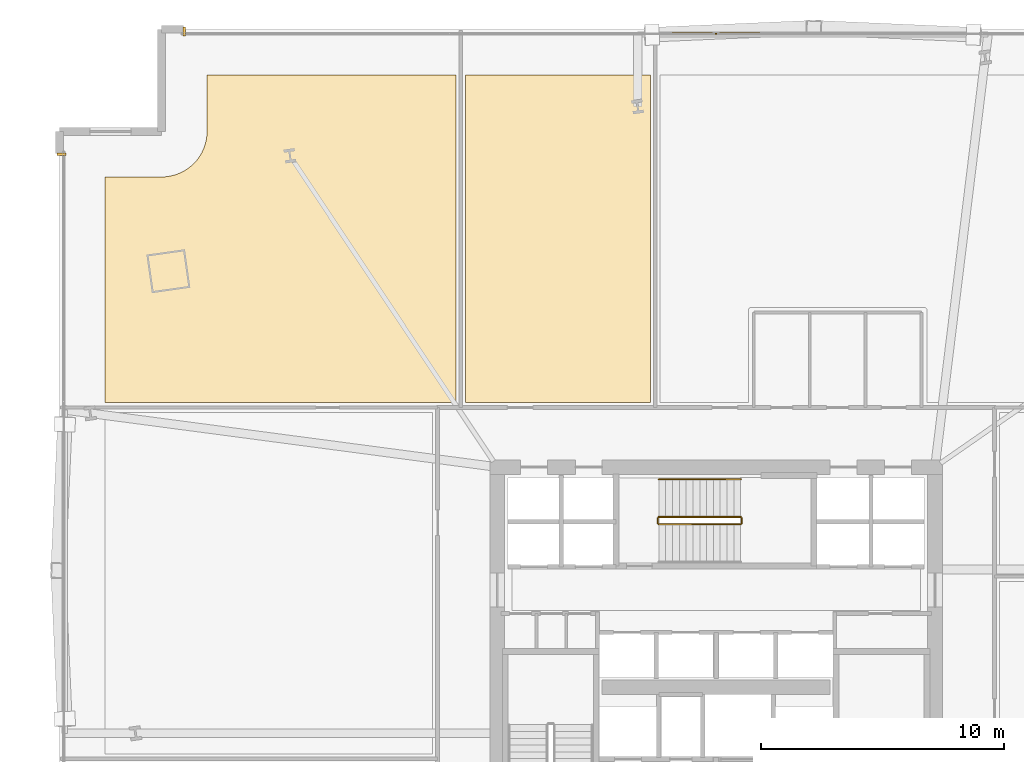
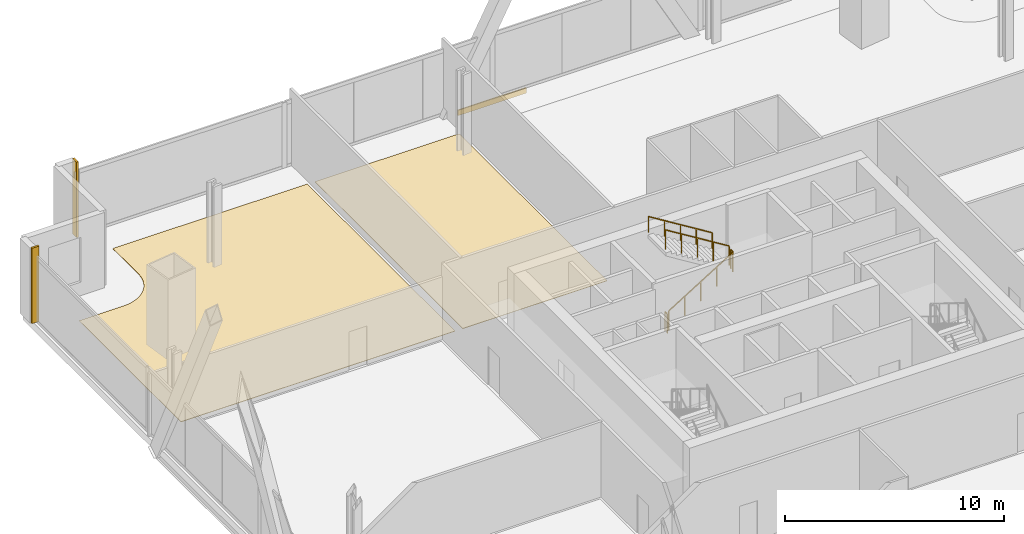
# One storey, part 28 of 29: 5 coverings, 5 railings.
"""IFC4 building model written with IfcOpenShell, lengths in metres."""

from ifc_helpers import new_model, si_unit, direction, frame, origin, origin_2d, place, context, subcontext, project, spatial, polyline, rectangle, outline, extrude, source, transform, mapped, material, layer, layer_set, type_object, element, save


model = new_model("IFC4")

# Units and contexts
model_context = context("Model", 3, precision=1e-05, world=origin(), true_north=direction((0.0, 1.0)))
body_context = subcontext(model_context, "Body", "Model", "MODEL_VIEW")
ifc_project = project(units=[si_unit("LENGTHUNIT", "METRE"), si_unit("AREAUNIT", "SQUARE_METRE"), si_unit("VOLUMEUNIT", "CUBIC_METRE"), si_unit("PLANEANGLEUNIT", "RADIAN"), si_unit("MASSUNIT", "GRAM", prefix="KILO")], contexts=[model_context])

# Site, building, storey
site_placement = place(None, origin())
site = spatial("IfcSite", under=ifc_project, at=site_placement, CompositionType="ELEMENT")
building_placement = place(site_placement, origin())
building = spatial("IfcBuilding", under=site, at=building_placement, Name="Haldenkirk Collegiate Tower", CompositionType="ELEMENT")
storey_placement = place(building_placement, frame((0.0, 0.0, 28.199951171875)))
storey = spatial("IfcBuildingStorey", under=building, at=storey_placement, Name="L05", CompositionType="ELEMENT", Elevation=28.199951171875)

# Coverings
ifc_material_1 = material(Name="Polished collegiate terrazzo", Category="concrete")
ifc_layer_1 = layer(ifc_material_1, 0.02490234375)
ifc_layer_set_1 = layer_set([ifc_layer_1], Name="Polished collegiate terrazzo")
covering_type_1 = type_object("IfcCoveringType", Name="COV-FLOOR-TERRAZZO", PredefinedType="FLOORING", material=ifc_layer_set_1)
covering_1_placement = place(storey_placement, origin())
element("IfcCovering", 1, at=covering_1_placement, inside=storey, type_object=covering_type_1, Name="L05 academic room finish 04", PredefinedType="FLOORING", context=body_context, shape_type="SweptSolid", body=[
    extrude(outline(polyline([(13.199951171875, 45.929931640625), (13.205810546875, 45.93017578125), (13.37744140625, 45.9384765625), (13.38916015625, 45.939697265625), (13.55908203125, 45.96484375), (13.570556640625, 45.96728515625), (13.7373046875, 46.009033203125), (13.748291015625, 46.012451171875), (13.91015625, 46.0703125), (13.9208984375, 46.07470703125), (14.076171875, 46.148193359375), (14.086669921875, 46.15380859375), (14.23388671875, 46.241943359375), (14.24365234375, 46.24853515625), (14.381591796875, 46.350830078125), (14.390869140625, 46.3583984375), (14.51806640625, 46.4736328125), (14.5263671875, 46.48193359375), (14.6416015625, 46.609130859375), (14.649169921875, 46.618408203125), (14.75146484375, 46.75634765625), (14.758056640625, 46.76611328125), (14.84619140625, 46.913330078125), (14.851806640625, 46.923828125), (14.92529296875, 47.0791015625), (14.9296875, 47.08984375), (14.987548828125, 47.251708984375), (14.990966796875, 47.2626953125), (15.03271484375, 47.429443359375), (15.03515625, 47.44091796875), (15.060302734375, 47.61083984375), (15.0615234375, 47.62255859375), (15.06982421875, 47.794189453125), (15.070068359375, 47.800048828125), (15.070068359375, 50.1298828125), (25.300048828125, 50.1298828125), (25.300048828125, 36.64990234375), (10.8701171875, 36.64990234375), (10.8701171875, 45.929931640625), (13.199951171875, 45.929931640625)])), origin(), (0.0, 0.0, 1.0), 0.025146484375),
])
ifc_material_2 = material(Name="Engineered collegiate oak acoustic flooring", Category="wood")
ifc_layer_2 = layer(ifc_material_2, 0.02197265625)
ifc_layer_set_2 = layer_set([ifc_layer_2], Name="Engineered collegiate oak acoustic flooring")
covering_type_2 = type_object("IfcCoveringType", Name="COV-FLOOR-TIMBER", PredefinedType="FLOORING", material=ifc_layer_set_2)
covering_2_placement = place(storey_placement, origin())
element("IfcCovering", 2, at=covering_2_placement, inside=storey, type_object=covering_type_2, Name="L05 academic room finish 05", PredefinedType="FLOORING", context=body_context, shape_type="SweptSolid", body=[
    extrude(outline(polyline([(33.300048828125, 50.1298828125), (33.300048828125, 36.64990234375), (25.699951171875, 36.64990234375), (25.699951171875, 50.1298828125), (33.300048828125, 50.1298828125)])), origin(), (0.0, 0.0, 1.0), 0.02197265625),
])

# Railings
ifc_material_3 = material(Name="Painted architectural tubular steel", Category="steel")
railing_type_1 = type_object("IfcRailingType", Name="RLG-STAIR-GUARD-1100", PredefinedType="BALUSTRADE", material=ifc_material_3)
railing_1_placement = place(storey_placement, frame((33.64990234375, 31.64990234375, 0.173095703125)))
element("IfcRailing", 3, at=railing_1_placement, inside=storey, type_object=railing_type_1, Name="L05 ST-3 stair guard 1", PredefinedType="BALUSTRADE", context=body_context, shape_type="SweptSolid", body=[
    extrude(rectangle(XDim=0.048095703125, YDim=0.048095703125, at=origin_2d()), frame((0.0, 0.0, 1.076171875), z_axis=(0.850623216509, 0.0, 0.525775754039), x_axis=(0.0, 1.0, 0.0)), (0.0, 0.0, 1.0), 3.9501953125),
    extrude(rectangle(XDim=0.0419921875, YDim=0.0419921875, at=origin_2d()), origin(), (0.0, 0.0, 1.0), 1.052001953125),
    extrude(rectangle(XDim=0.0419921875, YDim=0.0419921875, at=origin_2d()), frame((0.840087890625, 0.0, 0.519287109375)), (0.0, 0.0, 1.0), 1.052001953125),
    extrude(rectangle(XDim=0.0419921875, YDim=0.0419921875, at=origin_2d()), frame((1.68017578125, 0.0, 1.03857421875)), (0.0, 0.0, 1.0), 1.052001953125),
    extrude(rectangle(XDim=0.0419921875, YDim=0.0419921875, at=origin_2d()), frame((2.52001953125, 0.0, 1.5576171875)), (0.0, 0.0, 1.0), 1.052001953125),
    extrude(rectangle(XDim=0.0419921875, YDim=0.0419921875, at=origin_2d()), frame((3.360107421875, 0.0, 2.076904296875)), (0.0, 0.0, 1.0), 1.052001953125),
])
railing_2_placement = place(storey_placement, frame((37.06005859375, 31.699951171875, 2.25)))
element("IfcRailing", 4, at=railing_2_placement, inside=storey, type_object=railing_type_1, Name="L05 ST-3 stair guard 2", PredefinedType="BALUSTRADE", context=body_context, shape_type="SweptSolid", body=[
    extrude(rectangle(XDim=0.048095703125, YDim=0.048095703125, at=origin_2d()), frame((0.0, 0.0, 1.076171875), z_axis=(0.0, 1.0, 0.0), x_axis=(-1.0, 0.0, 0.0)), (0.0, 0.0, 1.0), 0.199951171875),
    extrude(rectangle(XDim=0.0419921875, YDim=0.0419921875, at=origin_2d()), origin(), (0.0, 0.0, 1.0), 1.052001953125),
    extrude(rectangle(XDim=0.0419921875, YDim=0.0419921875, at=origin_2d()), frame((0.0, 0.199951171875, 0.0)), (0.0, 0.0, 1.0), 1.052001953125),
])
railing_3_placement = place(storey_placement, frame((37.010009765625, 31.949951171875, 2.423095703125)))
element("IfcRailing", 5, at=railing_3_placement, inside=storey, type_object=railing_type_1, Name="L05 ST-3 stair guard 3", PredefinedType="BALUSTRADE", context=body_context, shape_type="SweptSolid", body=[
    extrude(rectangle(XDim=0.048095703125, YDim=0.048095703125, at=origin_2d()), frame((0.0, 0.0, 1.076171875), z_axis=(-0.850623216509, 0.0, 0.525775754039), x_axis=(0.0, -1.0, 0.0)), (0.0, 0.0, 1.0), 3.9501953125),
    extrude(rectangle(XDim=0.0419921875, YDim=0.0419921875, at=origin_2d()), origin(), (0.0, 0.0, 1.0), 1.052001953125),
    extrude(rectangle(XDim=0.0419921875, YDim=0.0419921875, at=origin_2d()), frame((-0.840087890625, 0.0, 0.519287109375)), (0.0, 0.0, 1.0), 1.052001953125),
    extrude(rectangle(XDim=0.0419921875, YDim=0.0419921875, at=origin_2d()), frame((-1.68017578125, 0.0, 1.03857421875)), (0.0, 0.0, 1.0), 1.052001953125),
    extrude(rectangle(XDim=0.0419921875, YDim=0.0419921875, at=origin_2d()), frame((-2.52001953125, 0.0, 1.5576171875)), (0.0, 0.0, 1.0), 1.052001953125),
    extrude(rectangle(XDim=0.0419921875, YDim=0.0419921875, at=origin_2d()), frame((-3.360107421875, 0.0, 2.076904296875)), (0.0, 0.0, 1.0), 1.052001953125),
])
railing_4_placement = place(storey_placement, frame((33.60009765625, 31.699951171875, 0.0)))
element("IfcRailing", 6, at=railing_4_placement, inside=storey, type_object=railing_type_1, Name="L05 ST-3 stair guard 4", PredefinedType="BALUSTRADE", context=body_context, shape_type="SweptSolid", body=[
    extrude(rectangle(XDim=0.048095703125, YDim=0.048095703125, at=origin_2d()), frame((0.0, 0.0, 1.076171875), z_axis=(0.0, 1.0, 0.0), x_axis=(-1.0, 0.0, 0.0)), (0.0, 0.0, 1.0), 0.199951171875),
    extrude(rectangle(XDim=0.0419921875, YDim=0.0419921875, at=origin_2d()), origin(), (0.0, 0.0, 1.0), 1.052001953125),
    extrude(rectangle(XDim=0.0419921875, YDim=0.0419921875, at=origin_2d()), frame((0.0, 0.199951171875, 0.0)), (0.0, 0.0, 1.0), 1.052001953125),
])
railing_type_2 = type_object("IfcRailingType", Name="RLG-STAIR-HANDRAIL-900", PredefinedType="HANDRAIL", material=ifc_material_3)
railing_5_placement = place(storey_placement, frame((37.010009765625, 33.5, 2.423095703125)))
element("IfcRailing", 7, at=railing_5_placement, inside=storey, type_object=railing_type_2, Name="L05 ST-3 stair handrail 2", PredefinedType="HANDRAIL", context=body_context, shape_type="SweptSolid", body=[
    extrude(rectangle(XDim=0.048095703125, YDim=0.048095703125, at=origin_2d()), frame((0.0, 0.0, 0.8759765625), z_axis=(-0.850623216509, 0.0, 0.525775754039), x_axis=(0.0, -1.0, 0.0)), (0.0, 0.0, 1.0), 3.9501953125),
    extrude(rectangle(XDim=0.0419921875, YDim=0.0419921875, at=origin_2d()), origin(), (0.0, 0.0, 1.0), 0.851806640625),
    extrude(rectangle(XDim=0.0419921875, YDim=0.0419921875, at=origin_2d()), frame((-0.840087890625, 0.0, 0.519287109375)), (0.0, 0.0, 1.0), 0.851806640625),
    extrude(rectangle(XDim=0.0419921875, YDim=0.0419921875, at=origin_2d()), frame((-1.68017578125, 0.0, 1.03857421875)), (0.0, 0.0, 1.0), 0.851806640625),
    extrude(rectangle(XDim=0.0419921875, YDim=0.0419921875, at=origin_2d()), frame((-2.52001953125, 0.0, 1.5576171875)), (0.0, 0.0, 1.0), 0.851806640625),
    extrude(rectangle(XDim=0.0419921875, YDim=0.0419921875, at=origin_2d()), frame((-3.360107421875, 0.0, 2.076904296875)), (0.0, 0.0, 1.0), 0.851806640625),
])

# Coverings
ifc_material_4 = material(Name="Anodised architectural bronze aluminium", Category="aluminium")
ifc_layer_3 = layer(ifc_material_4, 0.06005859375)
ifc_layer_set_3 = layer_set([ifc_layer_3], Name="Anodised architectural bronze aluminium")
covering_type_3 = type_object("IfcCoveringType", Name="COV-CLAD-BRONZE-60", PredefinedType="CLADDING", material=ifc_layer_set_3)
shared_shape_1 = source(origin(), body_context, "Body", "SweptSolid", [
    extrude(rectangle(XDim=0.10009765625, YDim=0.3798828125, at=origin_2d()), origin(), (0.0, 0.0, 1.0), 4.18994140625),
])
for number, where, z_axis, x_axis, name in (
    (8, (14.1298828125, 51.909912109375, 0.0), (0.0, 0.0, 1.0), (1.0, 0.0, 0.0), "L05 recessed curtain-wall bronze jamb closure NJL"),
    (9, (9.090087890625, 46.8701171875, 0.0), (0.0, 0.0, 1.0), (0.0, 1.0, 0.0), "L05 recessed curtain-wall bronze jamb closure WJR"),
):
    element("IfcCovering", number, at=place(storey_placement, frame(where, z_axis=z_axis, x_axis=x_axis)), inside=storey, type_object=covering_type_3, Name=name, PredefinedType="CLADDING", context=body_context, shape_type="MappedRepresentation", body=[
        mapped(shared_shape_1, transform((0.0, 0.0, 0.0), x_axis=(1.0, 0.0, 0.0), y_axis=(0.0, 1.0, 0.0), z_axis=(0.0, 0.0, 1.0), scale=1.0)),
    ])
shared_shape_2 = source(origin(), body_context, "Body", "SweptSolid", [
    extrude(rectangle(XDim=3.60009765625, YDim=0.06005859375, at=origin_2d()), origin(), (0.0, 0.0, 1.0), 0.300048828125),
])
covering_3_placement = place(storey_placement, frame((36.0, 51.820068359375, -0.2998046875), z_axis=(0.0, 0.0, 1.0), x_axis=(1.0, 0.0, 0.0)))
element("IfcCovering", 10, at=covering_3_placement, inside=storey, type_object=covering_type_3, Name="L05 architectural bronze spandrel cladding N", PredefinedType="CLADDING", context=body_context, shape_type="MappedRepresentation", body=[
    mapped(shared_shape_2, transform((0.0, 0.0, 0.0), x_axis=(1.0, 0.0, 0.0), y_axis=(0.0, 1.0, 0.0), z_axis=(0.0, 0.0, 1.0), scale=1.0)),
])

save(model, "model.ifc")
